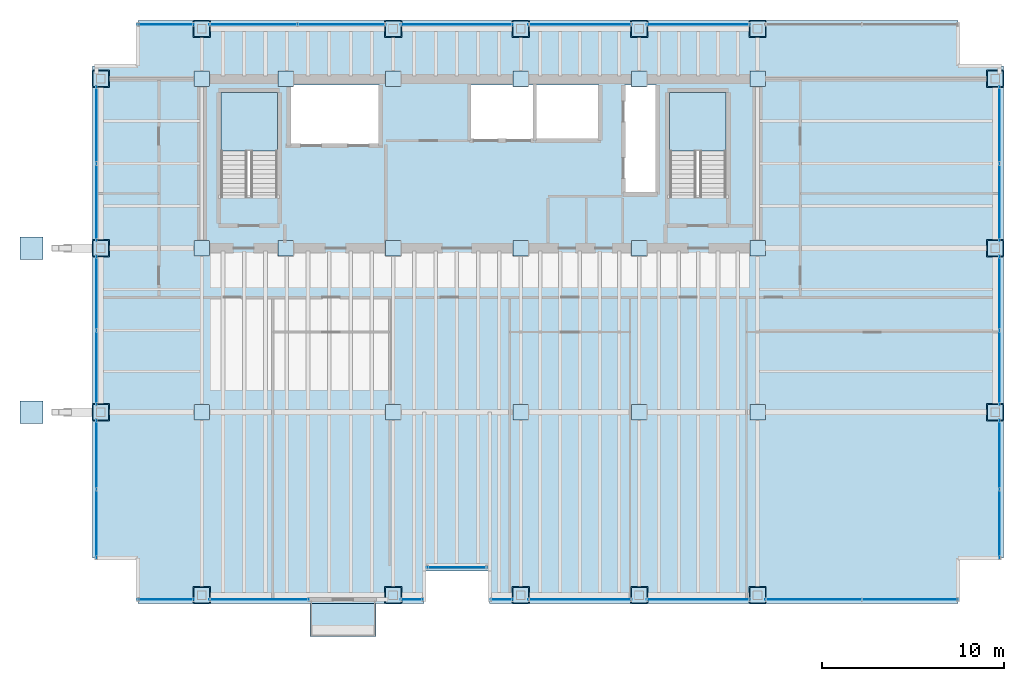
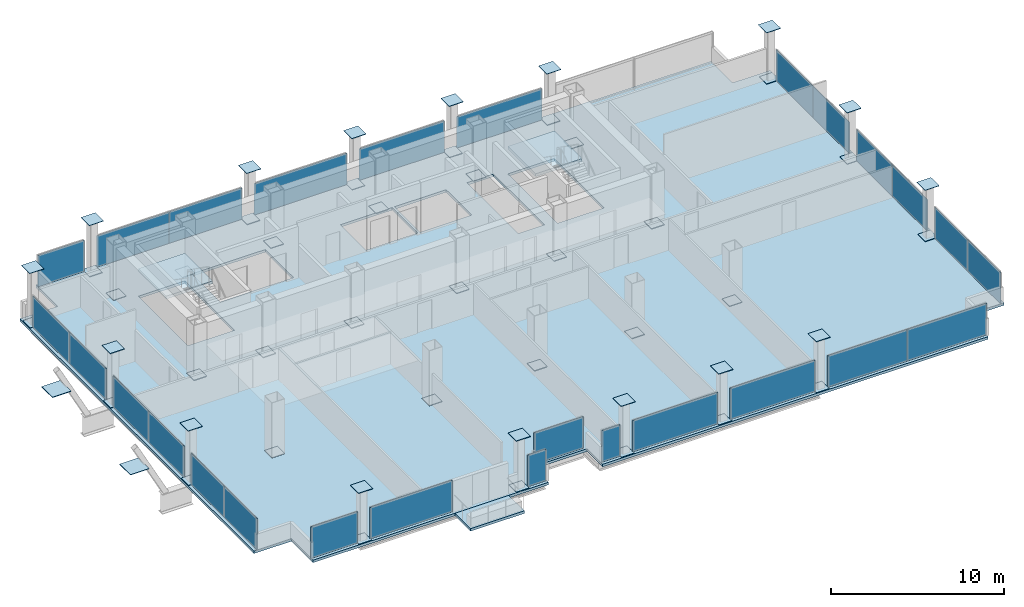
# One storey, part 17 of 21: 78 plates, 4 slabs, 6 openings, 21 elements without a shape of their own.
"""IFC4 building model written with IfcOpenShell, lengths in metres."""

from ifc_helpers import new_model, si_unit, direction, frame, origin, origin_2d, place, context, subcontext, project, spatial, polyline, rectangle, outline, extrude, material, layer, layer_set, type_object, element, aggregate, save


model = new_model("IFC4")

# Units and contexts
model_context = context("Model", 3, precision=1e-05, world=origin(), true_north=direction((0.0, 1.0)))
body_context = subcontext(model_context, "Body", "Model", "MODEL_VIEW")
ifc_project = project(units=[si_unit("LENGTHUNIT", "METRE"), si_unit("AREAUNIT", "SQUARE_METRE"), si_unit("VOLUMEUNIT", "CUBIC_METRE"), si_unit("PLANEANGLEUNIT", "RADIAN"), si_unit("MASSUNIT", "GRAM", prefix="KILO")], contexts=[model_context])

# Site, building, storey
site_placement = place(None, origin())
site = spatial("IfcSite", under=ifc_project, at=site_placement, CompositionType="ELEMENT")
building_placement = place(site_placement, origin())
building = spatial("IfcBuilding", under=site, at=building_placement, Name="Noeulbin Bourse Tower", CompositionType="ELEMENT")
storey_placement = place(building_placement, frame((0.0, 0.0, 111.0)))
storey = spatial("IfcBuildingStorey", under=building, at=storey_placement, Name="L27", CompositionType="ELEMENT", Elevation=111.0)

# Curtain wall, plate
ifc_material_1 = material(Name="Dark Tinted Triple Glazing", Category="glass")
curtain_wall_type = type_object("IfcCurtainWallType", Name="CW-SYS-3", PredefinedType="NOTDEFINED", material=ifc_material_1)
curtain_wall_1_placement = place(storey_placement, origin())
curtain_wall_1 = element("IfcCurtainWall", 1, at=curtain_wall_1_placement, inside=storey, type_object=curtain_wall_type, Name="Unitised Curtain Wall CW-L27-SREC", PredefinedType="NOTDEFINED")
ifc_layer_1 = layer(ifc_material_1, 0.035888671875)
ifc_layer_set_1 = layer_set([ifc_layer_1], Name="Dark Tinted Triple Glazing")
plate_type_1 = type_object("IfcPlateType", Name="CW-SYS-3-PNL", PredefinedType="CURTAIN_PANEL", material=ifc_layer_set_1)
plate_1_placement = place(storey_placement, frame((27.5, 11.47998046875, 0.0), z_axis=(0.0, 0.0, 1.0), x_axis=(1.0, 0.0, 0.0)))
plate_1 = element("IfcPlate", 2, at=plate_1_placement, type_object=plate_type_1, Name="Glazed Curtain Panel CW-L27-SREC-P00", PredefinedType="CURTAIN_PANEL", context=body_context, shape_type="SweptSolid", body=[
    extrude(rectangle(XDim=3.300048828125, YDim=0.035888671875, at=origin_2d()), origin(), (0.0, 0.0, 1.0), 2.219970703125),
])
aggregate(curtain_wall_1, [plate_1])

curtain_wall_2_placement = place(storey_placement, origin())
curtain_wall_2 = element("IfcCurtainWall", 3, at=curtain_wall_2_placement, inside=storey, type_object=curtain_wall_type, Name="Unitised Curtain Wall CW-L27-S1-S1", PredefinedType="NOTDEFINED")
plate_2_placement = place(storey_placement, frame((11.534912109375, 9.719970703125, 0.0), z_axis=(0.0, 0.0, 1.0), x_axis=(1.0, 0.0, 0.0)))
plate_2 = element("IfcPlate", 4, at=plate_2_placement, type_object=plate_type_1, Name="Glazed Curtain Panel CW-L27-S1-S1-P00", PredefinedType="CURTAIN_PANEL", context=body_context, shape_type="SweptSolid", body=[
    extrude(rectangle(XDim=3.110107421875, YDim=0.035888671875, at=origin_2d()), origin(), (0.0, 0.0, 1.0), 2.219970703125),
])
aggregate(curtain_wall_2, [plate_2])

curtain_wall_3_placement = place(storey_placement, origin())
curtain_wall_3 = element("IfcCurtainWall", 5, at=curtain_wall_3_placement, inside=storey, type_object=curtain_wall_type, Name="Unitised Curtain Wall CW-L27-S1-S2", PredefinedType="NOTDEFINED")
plate_3_placement = place(storey_placement, frame((16.655029296875, 9.719970703125, 0.0), z_axis=(0.0, 0.0, 1.0), x_axis=(1.0, 0.0, 0.0)))
plate_3 = element("IfcPlate", 6, at=plate_3_placement, type_object=plate_type_1, Name="Glazed Curtain Panel CW-L27-S1-S2-P00", PredefinedType="CURTAIN_PANEL", context=body_context, shape_type="SweptSolid", body=[
    extrude(rectangle(XDim=5.489990234375, YDim=0.035888671875, at=origin_2d()), origin(), (0.0, 0.0, 1.0), 2.219970703125),
])
aggregate(curtain_wall_3, [plate_3])

curtain_wall_4_placement = place(storey_placement, origin())
curtain_wall_4 = element("IfcCurtainWall", 7, at=curtain_wall_4_placement, inside=storey, type_object=curtain_wall_type, Name="Unitised Curtain Wall CW-L27-S2", PredefinedType="NOTDEFINED")
plate_4_placement = place(storey_placement, frame((25.030029296875, 9.719970703125, 0.0), z_axis=(0.0, 0.0, 1.0), x_axis=(1.0, 0.0, 0.0)))
plate_4 = element("IfcPlate", 8, at=plate_4_placement, type_object=plate_type_1, Name="Glazed Curtain Panel CW-L27-S2-P00", PredefinedType="CURTAIN_PANEL", context=body_context, shape_type="SweptSolid", body=[
    extrude(rectangle(XDim=1.239990234375, YDim=0.035888671875, at=origin_2d()), origin(), (0.0, 0.0, 1.0), 2.219970703125),
])
aggregate(curtain_wall_4, [plate_4])

curtain_wall_5_placement = place(storey_placement, origin())
curtain_wall_5 = element("IfcCurtainWall", 9, at=curtain_wall_5_placement, inside=storey, type_object=curtain_wall_type, Name="Unitised Curtain Wall CW-L27-S3-S1", PredefinedType="NOTDEFINED")
plate_5_placement = place(storey_placement, frame((29.969970703125, 9.719970703125, 0.0), z_axis=(0.0, 0.0, 1.0), x_axis=(1.0, 0.0, 0.0)))
plate_5 = element("IfcPlate", 10, at=plate_5_placement, type_object=plate_type_1, Name="Glazed Curtain Panel CW-L27-S3-S1-P00", PredefinedType="CURTAIN_PANEL", context=body_context, shape_type="SweptSolid", body=[
    extrude(rectangle(XDim=1.239990234375, YDim=0.035888671875, at=origin_2d()), origin(), (0.0, 0.0, 1.0), 2.219970703125),
])
aggregate(curtain_wall_5, [plate_5])

curtain_wall_6_placement = place(storey_placement, origin())
curtain_wall_6 = element("IfcCurtainWall", 11, at=curtain_wall_6_placement, inside=storey, type_object=curtain_wall_type, Name="Unitised Curtain Wall CW-L27-S3-S2", PredefinedType="NOTDEFINED")
plate_6_placement = place(storey_placement, frame((34.25, 9.719970703125, 0.0), z_axis=(0.0, 0.0, 1.0), x_axis=(1.0, 0.0, 0.0)))
plate_6 = element("IfcPlate", 12, at=plate_6_placement, type_object=plate_type_1, Name="Glazed Curtain Panel CW-L27-S3-S2-P00", PredefinedType="CURTAIN_PANEL", context=body_context, shape_type="SweptSolid", body=[
    extrude(rectangle(XDim=5.679931640625, YDim=0.035888671875, at=origin_2d()), origin(), (0.0, 0.0, 1.0), 2.219970703125),
])
aggregate(curtain_wall_6, [plate_6])

curtain_wall_7_placement = place(storey_placement, origin())
curtain_wall_7 = element("IfcCurtainWall", 13, at=curtain_wall_7_placement, inside=storey, type_object=curtain_wall_type, Name="Unitised Curtain Wall CW-L27-S3-S3", PredefinedType="NOTDEFINED")
plate_7_placement = place(storey_placement, frame((40.75, 9.719970703125, 0.0), z_axis=(0.0, 0.0, 1.0), x_axis=(1.0, 0.0, 0.0)))
plate_7 = element("IfcPlate", 14, at=plate_7_placement, type_object=plate_type_1, Name="Glazed Curtain Panel CW-L27-S3-S3-P00", PredefinedType="CURTAIN_PANEL", context=body_context, shape_type="SweptSolid", body=[
    extrude(rectangle(XDim=5.679931640625, YDim=0.035888671875, at=origin_2d()), origin(), (0.0, 0.0, 1.0), 2.219970703125),
])
aggregate(curtain_wall_7, [plate_7])

# Curtain wall, plates
curtain_wall_8_placement = place(storey_placement, origin())
curtain_wall_8 = element("IfcCurtainWall", 15, at=curtain_wall_8_placement, inside=storey, type_object=curtain_wall_type, Name="Unitised Curtain Wall CW-L27-S3-S4", PredefinedType="NOTDEFINED")
plate_8_placement = place(storey_placement, frame((47.0625, 9.719970703125, 0.0), z_axis=(0.0, 0.0, 1.0), x_axis=(1.0, 0.0, 0.0)))
plate_8 = element("IfcPlate", 16, at=plate_8_placement, type_object=plate_type_1, Name="Glazed Curtain Panel CW-L27-S3-S4-P00", PredefinedType="CURTAIN_PANEL", context=body_context, shape_type="SweptSolid", body=[
    extrude(rectangle(XDim=5.304931640625, YDim=0.035888671875, at=origin_2d()), origin(), (0.0, 0.0, 1.0), 2.219970703125),
])
plate_9_placement = place(storey_placement, frame((52.367431640625, 9.719970703125, 0.0), z_axis=(0.0, 0.0, 1.0), x_axis=(1.0, 0.0, 0.0)))
plate_9 = element("IfcPlate", 17, at=plate_9_placement, type_object=plate_type_1, Name="Glazed Curtain Panel CW-L27-S3-S4-P01", PredefinedType="CURTAIN_PANEL", context=body_context, shape_type="SweptSolid", body=[
    extrude(rectangle(XDim=5.304931640625, YDim=0.035888671875, at=origin_2d()), origin(), (0.0, 0.0, 1.0), 2.219970703125),
])
aggregate(curtain_wall_8, [plate_8, plate_9])

# Curtain wall, plate
curtain_wall_9_placement = place(storey_placement, origin())
curtain_wall_9 = element("IfcCurtainWall", 18, at=curtain_wall_9_placement, inside=storey, type_object=curtain_wall_type, Name="Unitised Curtain Wall CW-L27-N-S1", PredefinedType="NOTDEFINED")
plate_10_placement = place(storey_placement, frame((11.534912109375, 41.280029296875, 0.0), z_axis=(0.0, 0.0, 1.0), x_axis=(1.0, 0.0, 0.0)))
plate_10 = element("IfcPlate", 19, at=plate_10_placement, type_object=plate_type_1, Name="Glazed Curtain Panel CW-L27-N-S1-P00", PredefinedType="CURTAIN_PANEL", context=body_context, shape_type="SweptSolid", body=[
    extrude(rectangle(XDim=3.110107421875, YDim=0.035888671875, at=origin_2d()), origin(), (0.0, 0.0, 1.0), 2.219970703125),
])
aggregate(curtain_wall_9, [plate_10])

# Curtain wall, plates
curtain_wall_10_placement = place(storey_placement, origin())
curtain_wall_10 = element("IfcCurtainWall", 20, at=curtain_wall_10_placement, inside=storey, type_object=curtain_wall_type, Name="Unitised Curtain Wall CW-L27-N-S2", PredefinedType="NOTDEFINED")
plate_11_placement = place(storey_placement, frame((16.330078125, 41.280029296875, 0.0), z_axis=(0.0, 0.0, 1.0), x_axis=(1.0, 0.0, 0.0)))
plate_11 = element("IfcPlate", 21, at=plate_11_placement, type_object=plate_type_1, Name="Glazed Curtain Panel CW-L27-N-S2-P00", PredefinedType="CURTAIN_PANEL", context=body_context, shape_type="SweptSolid", body=[
    extrude(rectangle(XDim=4.840087890625, YDim=0.035888671875, at=origin_2d()), origin(), (0.0, 0.0, 1.0), 2.219970703125),
])
plate_12_placement = place(storey_placement, frame((21.169921875, 41.280029296875, 0.0), z_axis=(0.0, 0.0, 1.0), x_axis=(1.0, 0.0, 0.0)))
plate_12 = element("IfcPlate", 22, at=plate_12_placement, type_object=plate_type_1, Name="Glazed Curtain Panel CW-L27-N-S2-P01", PredefinedType="CURTAIN_PANEL", context=body_context, shape_type="SweptSolid", body=[
    extrude(rectangle(XDim=4.840087890625, YDim=0.035888671875, at=origin_2d()), origin(), (0.0, 0.0, 1.0), 2.219970703125),
])
aggregate(curtain_wall_10, [plate_11, plate_12])

# Curtain wall, plate
curtain_wall_11_placement = place(storey_placement, origin())
curtain_wall_11 = element("IfcCurtainWall", 23, at=curtain_wall_11_placement, inside=storey, type_object=curtain_wall_type, Name="Unitised Curtain Wall CW-L27-N-S3", PredefinedType="NOTDEFINED")
plate_13_placement = place(storey_placement, frame((27.5, 41.280029296875, 0.0), z_axis=(0.0, 0.0, 1.0), x_axis=(1.0, 0.0, 0.0)))
plate_13 = element("IfcPlate", 24, at=plate_13_placement, type_object=plate_type_1, Name="Glazed Curtain Panel CW-L27-N-S3-P00", PredefinedType="CURTAIN_PANEL", context=body_context, shape_type="SweptSolid", body=[
    extrude(rectangle(XDim=6.179931640625, YDim=0.035888671875, at=origin_2d()), origin(), (0.0, 0.0, 1.0), 2.219970703125),
])
aggregate(curtain_wall_11, [plate_13])

curtain_wall_12_placement = place(storey_placement, origin())
curtain_wall_12 = element("IfcCurtainWall", 25, at=curtain_wall_12_placement, inside=storey, type_object=curtain_wall_type, Name="Unitised Curtain Wall CW-L27-N-S4", PredefinedType="NOTDEFINED")
plate_14_placement = place(storey_placement, frame((34.25, 41.280029296875, 0.0), z_axis=(0.0, 0.0, 1.0), x_axis=(1.0, 0.0, 0.0)))
plate_14 = element("IfcPlate", 26, at=plate_14_placement, type_object=plate_type_1, Name="Glazed Curtain Panel CW-L27-N-S4-P00", PredefinedType="CURTAIN_PANEL", context=body_context, shape_type="SweptSolid", body=[
    extrude(rectangle(XDim=5.679931640625, YDim=0.035888671875, at=origin_2d()), origin(), (0.0, 0.0, 1.0), 2.219970703125),
])
aggregate(curtain_wall_12, [plate_14])

curtain_wall_13_placement = place(storey_placement, origin())
curtain_wall_13 = element("IfcCurtainWall", 27, at=curtain_wall_13_placement, inside=storey, type_object=curtain_wall_type, Name="Unitised Curtain Wall CW-L27-N-S5", PredefinedType="NOTDEFINED")
plate_15_placement = place(storey_placement, frame((40.75, 41.280029296875, 0.0), z_axis=(0.0, 0.0, 1.0), x_axis=(1.0, 0.0, 0.0)))
plate_15 = element("IfcPlate", 28, at=plate_15_placement, type_object=plate_type_1, Name="Glazed Curtain Panel CW-L27-N-S5-P00", PredefinedType="CURTAIN_PANEL", context=body_context, shape_type="SweptSolid", body=[
    extrude(rectangle(XDim=5.679931640625, YDim=0.035888671875, at=origin_2d()), origin(), (0.0, 0.0, 1.0), 2.219970703125),
])
aggregate(curtain_wall_13, [plate_15])

# Curtain wall, plates
curtain_wall_14_placement = place(storey_placement, origin())
curtain_wall_14 = element("IfcCurtainWall", 29, at=curtain_wall_14_placement, inside=storey, type_object=curtain_wall_type, Name="Unitised Curtain Wall CW-L27-W-S1", PredefinedType="NOTDEFINED")
plate_16_placement = place(storey_placement, frame((7.719970703125, 13.882568359375, 0.0), z_axis=(0.0, 0.0, 1.0), x_axis=(0.0, 1.0, 0.0)))
plate_16 = element("IfcPlate", 30, at=plate_16_placement, type_object=plate_type_1, Name="Glazed Curtain Panel CW-L27-W-S1-P00", PredefinedType="CURTAIN_PANEL", context=body_context, shape_type="SweptSolid", body=[
    extrude(rectangle(XDim=3.804931640625, YDim=0.035888671875, at=origin_2d()), origin(), (0.0, 0.0, 1.0), 2.219970703125),
])
plate_17_placement = place(storey_placement, frame((7.719970703125, 17.6875, 0.0), z_axis=(0.0, 0.0, 1.0), x_axis=(0.0, 1.0, 0.0)))
plate_17 = element("IfcPlate", 31, at=plate_17_placement, type_object=plate_type_1, Name="Glazed Curtain Panel CW-L27-W-S1-P01", PredefinedType="CURTAIN_PANEL", context=body_context, shape_type="SweptSolid", body=[
    extrude(rectangle(XDim=3.804931640625, YDim=0.035888671875, at=origin_2d()), origin(), (0.0, 0.0, 1.0), 2.219970703125),
])
aggregate(curtain_wall_14, [plate_16, plate_17])

curtain_wall_15_placement = place(storey_placement, origin())
curtain_wall_15 = element("IfcCurtainWall", 32, at=curtain_wall_15_placement, inside=storey, type_object=curtain_wall_type, Name="Unitised Curtain Wall CW-L27-W-S2", PredefinedType="NOTDEFINED")
plate_18_placement = place(storey_placement, frame((7.719970703125, 22.455078125, 0.0), z_axis=(0.0, 0.0, 1.0), x_axis=(0.0, 1.0, 0.0)))
plate_18 = element("IfcPlate", 33, at=plate_18_placement, type_object=plate_type_1, Name="Glazed Curtain Panel CW-L27-W-S2-P00", PredefinedType="CURTAIN_PANEL", context=body_context, shape_type="SweptSolid", body=[
    extrude(rectangle(XDim=4.090087890625, YDim=0.035888671875, at=origin_2d()), origin(), (0.0, 0.0, 1.0), 2.219970703125),
])
plate_19_placement = place(storey_placement, frame((7.719970703125, 26.544921875, 0.0), z_axis=(0.0, 0.0, 1.0), x_axis=(0.0, 1.0, 0.0)))
plate_19 = element("IfcPlate", 34, at=plate_19_placement, type_object=plate_type_1, Name="Glazed Curtain Panel CW-L27-W-S2-P01", PredefinedType="CURTAIN_PANEL", context=body_context, shape_type="SweptSolid", body=[
    extrude(rectangle(XDim=4.090087890625, YDim=0.035888671875, at=origin_2d()), origin(), (0.0, 0.0, 1.0), 2.219970703125),
])
aggregate(curtain_wall_15, [plate_18, plate_19])

curtain_wall_16_placement = place(storey_placement, origin())
curtain_wall_16 = element("IfcCurtainWall", 35, at=curtain_wall_16_placement, inside=storey, type_object=curtain_wall_type, Name="Unitised Curtain Wall CW-L27-W-S3", PredefinedType="NOTDEFINED")
plate_20_placement = place(storey_placement, frame((7.719970703125, 31.530029296875, 0.0), z_axis=(0.0, 0.0, 1.0), x_axis=(0.0, 1.0, 0.0)))
plate_20 = element("IfcPlate", 36, at=plate_20_placement, type_object=plate_type_1, Name="Glazed Curtain Panel CW-L27-W-S3-P00", PredefinedType="CURTAIN_PANEL", context=body_context, shape_type="SweptSolid", body=[
    extrude(rectangle(XDim=4.239990234375, YDim=0.035888671875, at=origin_2d()), origin(), (0.0, 0.0, 1.0), 2.219970703125),
])
plate_21_placement = place(storey_placement, frame((7.719970703125, 35.77001953125, 0.0), z_axis=(0.0, 0.0, 1.0), x_axis=(0.0, 1.0, 0.0)))
plate_21 = element("IfcPlate", 37, at=plate_21_placement, type_object=plate_type_1, Name="Glazed Curtain Panel CW-L27-W-S3-P01", PredefinedType="CURTAIN_PANEL", context=body_context, shape_type="SweptSolid", body=[
    extrude(rectangle(XDim=4.239990234375, YDim=0.035888671875, at=origin_2d()), origin(), (0.0, 0.0, 1.0), 2.219970703125),
])
aggregate(curtain_wall_16, [plate_20, plate_21])

curtain_wall_17_placement = place(storey_placement, origin())
curtain_wall_17 = element("IfcCurtainWall", 38, at=curtain_wall_17_placement, inside=storey, type_object=curtain_wall_type, Name="Unitised Curtain Wall CW-L27-E-S1", PredefinedType="NOTDEFINED")
plate_22_placement = place(storey_placement, frame((57.280029296875, 13.882568359375, 0.0), z_axis=(0.0, 0.0, 1.0), x_axis=(0.0, 1.0, 0.0)))
plate_22 = element("IfcPlate", 39, at=plate_22_placement, type_object=plate_type_1, Name="Glazed Curtain Panel CW-L27-E-S1-P00", PredefinedType="CURTAIN_PANEL", context=body_context, shape_type="SweptSolid", body=[
    extrude(rectangle(XDim=3.804931640625, YDim=0.035888671875, at=origin_2d()), origin(), (0.0, 0.0, 1.0), 2.219970703125),
])
plate_23_placement = place(storey_placement, frame((57.280029296875, 17.6875, 0.0), z_axis=(0.0, 0.0, 1.0), x_axis=(0.0, 1.0, 0.0)))
plate_23 = element("IfcPlate", 40, at=plate_23_placement, type_object=plate_type_1, Name="Glazed Curtain Panel CW-L27-E-S1-P01", PredefinedType="CURTAIN_PANEL", context=body_context, shape_type="SweptSolid", body=[
    extrude(rectangle(XDim=3.804931640625, YDim=0.035888671875, at=origin_2d()), origin(), (0.0, 0.0, 1.0), 2.219970703125),
])
aggregate(curtain_wall_17, [plate_22, plate_23])

curtain_wall_18_placement = place(storey_placement, origin())
curtain_wall_18 = element("IfcCurtainWall", 41, at=curtain_wall_18_placement, inside=storey, type_object=curtain_wall_type, Name="Unitised Curtain Wall CW-L27-E-S2", PredefinedType="NOTDEFINED")
plate_24_placement = place(storey_placement, frame((57.280029296875, 22.455078125, 0.0), z_axis=(0.0, 0.0, 1.0), x_axis=(0.0, 1.0, 0.0)))
plate_24 = element("IfcPlate", 42, at=plate_24_placement, type_object=plate_type_1, Name="Glazed Curtain Panel CW-L27-E-S2-P00", PredefinedType="CURTAIN_PANEL", context=body_context, shape_type="SweptSolid", body=[
    extrude(rectangle(XDim=4.090087890625, YDim=0.035888671875, at=origin_2d()), origin(), (0.0, 0.0, 1.0), 2.219970703125),
])
plate_25_placement = place(storey_placement, frame((57.280029296875, 26.544921875, 0.0), z_axis=(0.0, 0.0, 1.0), x_axis=(0.0, 1.0, 0.0)))
plate_25 = element("IfcPlate", 43, at=plate_25_placement, type_object=plate_type_1, Name="Glazed Curtain Panel CW-L27-E-S2-P01", PredefinedType="CURTAIN_PANEL", context=body_context, shape_type="SweptSolid", body=[
    extrude(rectangle(XDim=4.090087890625, YDim=0.035888671875, at=origin_2d()), origin(), (0.0, 0.0, 1.0), 2.219970703125),
])
aggregate(curtain_wall_18, [plate_24, plate_25])

curtain_wall_19_placement = place(storey_placement, origin())
curtain_wall_19 = element("IfcCurtainWall", 44, at=curtain_wall_19_placement, inside=storey, type_object=curtain_wall_type, Name="Unitised Curtain Wall CW-L27-E-S3", PredefinedType="NOTDEFINED")
plate_26_placement = place(storey_placement, frame((57.280029296875, 31.530029296875, 0.0), z_axis=(0.0, 0.0, 1.0), x_axis=(0.0, 1.0, 0.0)))
plate_26 = element("IfcPlate", 45, at=plate_26_placement, type_object=plate_type_1, Name="Glazed Curtain Panel CW-L27-E-S3-P00", PredefinedType="CURTAIN_PANEL", context=body_context, shape_type="SweptSolid", body=[
    extrude(rectangle(XDim=4.239990234375, YDim=0.035888671875, at=origin_2d()), origin(), (0.0, 0.0, 1.0), 2.219970703125),
])
plate_27_placement = place(storey_placement, frame((57.280029296875, 35.77001953125, 0.0), z_axis=(0.0, 0.0, 1.0), x_axis=(0.0, 1.0, 0.0)))
plate_27 = element("IfcPlate", 46, at=plate_27_placement, type_object=plate_type_1, Name="Glazed Curtain Panel CW-L27-E-S3-P01", PredefinedType="CURTAIN_PANEL", context=body_context, shape_type="SweptSolid", body=[
    extrude(rectangle(XDim=4.239990234375, YDim=0.035888671875, at=origin_2d()), origin(), (0.0, 0.0, 1.0), 2.219970703125),
])
aggregate(curtain_wall_19, [plate_26, plate_27])

# Plates
ifc_material_2 = material(Name="Steel S355", Category="steel")
ifc_layer_2 = layer(ifc_material_2, 0.030029296875)
ifc_layer_set_2 = layer_set([ifc_layer_2], Name="Steel S355")
plate_type_2 = type_object("IfcPlateType", Name="PLT-BN1", PredefinedType="USERDEFINED", material=ifc_layer_set_2)
for number, where, z_axis, x_axis, name in (
    (47, (13.5, 29.0, 0.0048828125), (0.0, 0.0, 1.0), (1.0, 0.0, 0.0), "Mega-Column Splice Plate BN1-L27-01"),
    (48, (13.5, 38.300048828125, 0.0048828125), (0.0, 0.0, 1.0), (1.0, 0.0, 0.0), "Mega-Column Splice Plate BN1-L27-02"),
    (49, (18.10009765625, 29.0, 0.0048828125), (0.0, 0.0, 1.0), (1.0, 0.0, 0.0), "Mega-Column Splice Plate BN1-L27-03"),
    (50, (18.10009765625, 38.300048828125, 0.0048828125), (0.0, 0.0, 1.0), (1.0, 0.0, 0.0), "Mega-Column Splice Plate BN1-L27-04"),
    (51, (24.0, 29.0, 0.0048828125), (0.0, 0.0, 1.0), (1.0, 0.0, 0.0), "Mega-Column Splice Plate BN1-L27-05"),
    (52, (24.0, 38.300048828125, 0.0048828125), (0.0, 0.0, 1.0), (1.0, 0.0, 0.0), "Mega-Column Splice Plate BN1-L27-06"),
    (53, (31.0, 29.0, 0.0048828125), (0.0, 0.0, 1.0), (1.0, 0.0, 0.0), "Mega-Column Splice Plate BN1-L27-07"),
    (54, (31.0, 38.300048828125, 0.0048828125), (0.0, 0.0, 1.0), (1.0, 0.0, 0.0), "Mega-Column Splice Plate BN1-L27-08"),
    (55, (37.5, 29.0, 0.0048828125), (0.0, 0.0, 1.0), (1.0, 0.0, 0.0), "Mega-Column Splice Plate BN1-L27-09"),
    (56, (37.5, 38.300048828125, 0.0048828125), (0.0, 0.0, 1.0), (1.0, 0.0, 0.0), "Mega-Column Splice Plate BN1-L27-10"),
    (57, (44.0, 29.0, 0.0048828125), (0.0, 0.0, 1.0), (1.0, 0.0, 0.0), "Mega-Column Splice Plate BN1-L27-11"),
    (58, (44.0, 38.300048828125, 0.0048828125), (0.0, 0.0, 1.0), (1.0, 0.0, 0.0), "Mega-Column Splice Plate BN1-L27-12"),
    (59, (13.5, 20.0, 0.0048828125), (0.0, 0.0, 1.0), (1.0, 0.0, 0.0), "Mega-Column Splice Plate BN1-L27-13"),
    (60, (24.0, 20.0, 0.0048828125), (0.0, 0.0, 1.0), (1.0, 0.0, 0.0), "Mega-Column Splice Plate BN1-L27-14"),
    (61, (31.0, 20.0, 0.0048828125), (0.0, 0.0, 1.0), (1.0, 0.0, 0.0), "Mega-Column Splice Plate BN1-L27-15"),
    (62, (37.5, 20.0, 0.0048828125), (0.0, 0.0, 1.0), (1.0, 0.0, 0.0), "Mega-Column Splice Plate BN1-L27-16"),
    (63, (44.0, 20.0, 0.0048828125), (0.0, 0.0, 1.0), (1.0, 0.0, 0.0), "Mega-Column Splice Plate BN1-L27-17"),
    (64, (7.949951171875, 20.0, 0.0048828125), (0.0, 0.0, 1.0), (1.0, 0.0, 0.0), "Perimeter Column Splice Plate BN1-L27-01"),
    (65, (7.949951171875, 29.0, 0.0048828125), (0.0, 0.0, 1.0), (1.0, 0.0, 0.0), "Perimeter Column Splice Plate BN1-L27-02"),
    (66, (7.949951171875, 38.300048828125, 0.0048828125), (0.0, 0.0, 1.0), (1.0, 0.0, 0.0), "Perimeter Column Splice Plate BN1-L27-03"),
    (67, (13.5, 9.949951171875, 0.0048828125), (0.0, 0.0, 1.0), (1.0, 0.0, 0.0), "Perimeter Column Splice Plate BN1-L27-04"),
    (68, (13.5, 41.050048828125, 0.0048828125), (0.0, 0.0, 1.0), (1.0, 0.0, 0.0), "Perimeter Column Splice Plate BN1-L27-05"),
    (69, (24.0, 9.949951171875, 0.0048828125), (0.0, 0.0, 1.0), (1.0, 0.0, 0.0), "Perimeter Column Splice Plate BN1-L27-06"),
    (70, (24.0, 41.050048828125, 0.0048828125), (0.0, 0.0, 1.0), (1.0, 0.0, 0.0), "Perimeter Column Splice Plate BN1-L27-07"),
    (71, (31.0, 9.949951171875, 0.0048828125), (0.0, 0.0, 1.0), (1.0, 0.0, 0.0), "Perimeter Column Splice Plate BN1-L27-08"),
    (72, (31.0, 41.050048828125, 0.0048828125), (0.0, 0.0, 1.0), (1.0, 0.0, 0.0), "Perimeter Column Splice Plate BN1-L27-09"),
    (73, (37.5, 9.949951171875, 0.0048828125), (0.0, 0.0, 1.0), (1.0, 0.0, 0.0), "Perimeter Column Splice Plate BN1-L27-10"),
    (74, (37.5, 41.050048828125, 0.0048828125), (0.0, 0.0, 1.0), (1.0, 0.0, 0.0), "Perimeter Column Splice Plate BN1-L27-11"),
    (75, (44.0, 9.949951171875, 0.0048828125), (0.0, 0.0, 1.0), (1.0, 0.0, 0.0), "Perimeter Column Splice Plate BN1-L27-12"),
    (76, (44.0, 41.050048828125, 0.0048828125), (0.0, 0.0, 1.0), (1.0, 0.0, 0.0), "Perimeter Column Splice Plate BN1-L27-13"),
    (77, (57.050048828125, 20.0, 0.0048828125), (0.0, 0.0, 1.0), (1.0, 0.0, 0.0), "Perimeter Column Splice Plate BN1-L27-14"),
    (78, (57.050048828125, 29.0, 0.0048828125), (0.0, 0.0, 1.0), (1.0, 0.0, 0.0), "Perimeter Column Splice Plate BN1-L27-15"),
    (79, (57.050048828125, 38.300048828125, 0.0048828125), (0.0, 0.0, 1.0), (1.0, 0.0, 0.0), "Perimeter Column Splice Plate BN1-L27-16"),
):
    element("IfcPlate", number, at=place(storey_placement, frame(where, z_axis=z_axis, x_axis=x_axis)), inside=storey, type_object=plate_type_2, Name=name, ObjectType="SPLICE PLATE", PredefinedType="USERDEFINED", context=body_context, shape_type="SweptSolid", body=[
        extrude(rectangle(XDim=0.85009765625, YDim=0.85009765625, at=origin_2d()), origin(), (0.0, 0.0, 1.0), 0.030029296875),
    ])
ifc_material_3 = material(Name="Steel S460", Category="steel")
ifc_layer_3 = layer(ifc_material_3, 0.0400390625)
ifc_layer_set_3 = layer_set([ifc_layer_3], Name="Steel S460")
plate_type_3 = type_object("IfcPlateType", Name="PLT-KN1", PredefinedType="USERDEFINED", material=ifc_layer_set_3)
for number, where, z_axis, x_axis, name in (
    (80, (4.14990234375, 20.0, 2.260009765625), (0.0, 0.0, 1.0), (1.0, 0.0, 0.0), "Exoskeleton Kink Gusset KN1-01"),
    (81, (4.14990234375, 29.0, 2.260009765625), (0.0, 0.0, 1.0), (1.0, 0.0, 0.0), "Exoskeleton Kink Gusset KN1-02"),
):
    element("IfcPlate", number, at=place(storey_placement, frame(where, z_axis=z_axis, x_axis=x_axis)), inside=storey, type_object=plate_type_3, Name=name, ObjectType="GUSSET PLATE", PredefinedType="USERDEFINED", context=body_context, shape_type="SweptSolid", body=[
        extrude(rectangle(XDim=1.25, YDim=1.25, at=origin_2d()), origin(), (0.0, 0.0, 1.0), 0.0400390625),
    ])
ifc_layer_4 = layer(ifc_material_2, 0.031982421875)
ifc_layer_set_4 = layer_set([ifc_layer_4], Name="Steel S355")
plate_type_4 = type_object("IfcPlateType", Name="PLT-KN3", PredefinedType="USERDEFINED", material=ifc_layer_set_4)
for number, where, z_axis, x_axis, name in (
    (82, (7.949951171875, 20.0, 3.8837890625), (0.0, 0.0, 1.0), (1.0, 0.0, 0.0), "Perimeter Column End Cap Plate KN3-01"),
    (83, (7.949951171875, 29.0, 3.8837890625), (0.0, 0.0, 1.0), (1.0, 0.0, 0.0), "Perimeter Column End Cap Plate KN3-02"),
    (84, (7.949951171875, 38.300048828125, 3.8837890625), (0.0, 0.0, 1.0), (1.0, 0.0, 0.0), "Perimeter Column End Cap Plate KN3-03"),
    (85, (13.5, 9.949951171875, 3.64404296875), (0.0, 0.0, 1.0), (1.0, 0.0, 0.0), "Perimeter Column End Cap Plate KN3-04"),
    (86, (13.5, 41.050048828125, 3.64404296875), (0.0, 0.0, 1.0), (1.0, 0.0, 0.0), "Perimeter Column End Cap Plate KN3-05"),
    (87, (24.0, 9.949951171875, 3.64404296875), (0.0, 0.0, 1.0), (1.0, 0.0, 0.0), "Perimeter Column End Cap Plate KN3-06"),
    (88, (24.0, 41.050048828125, 3.64404296875), (0.0, 0.0, 1.0), (1.0, 0.0, 0.0), "Perimeter Column End Cap Plate KN3-07"),
    (89, (31.0, 9.949951171875, 3.64404296875), (0.0, 0.0, 1.0), (1.0, 0.0, 0.0), "Perimeter Column End Cap Plate KN3-08"),
    (90, (31.0, 41.050048828125, 3.64404296875), (0.0, 0.0, 1.0), (1.0, 0.0, 0.0), "Perimeter Column End Cap Plate KN3-09"),
    (91, (37.5, 9.949951171875, 3.64404296875), (0.0, 0.0, 1.0), (1.0, 0.0, 0.0), "Perimeter Column End Cap Plate KN3-10"),
    (92, (37.5, 41.050048828125, 3.64404296875), (0.0, 0.0, 1.0), (1.0, 0.0, 0.0), "Perimeter Column End Cap Plate KN3-11"),
    (93, (44.0, 9.949951171875, 3.64404296875), (0.0, 0.0, 1.0), (1.0, 0.0, 0.0), "Perimeter Column End Cap Plate KN3-12"),
    (94, (44.0, 41.050048828125, 3.64404296875), (0.0, 0.0, 1.0), (1.0, 0.0, 0.0), "Perimeter Column End Cap Plate KN3-13"),
    (95, (57.050048828125, 20.0, 3.64404296875), (0.0, 0.0, 1.0), (1.0, 0.0, 0.0), "Perimeter Column End Cap Plate KN3-14"),
    (96, (57.050048828125, 29.0, 3.64404296875), (0.0, 0.0, 1.0), (1.0, 0.0, 0.0), "Perimeter Column End Cap Plate KN3-15"),
    (97, (57.050048828125, 38.300048828125, 3.64404296875), (0.0, 0.0, 1.0), (1.0, 0.0, 0.0), "Perimeter Column End Cap Plate KN3-16"),
):
    element("IfcPlate", number, at=place(storey_placement, frame(where, z_axis=z_axis, x_axis=x_axis)), inside=storey, type_object=plate_type_4, Name=name, ObjectType="END PLATE", PredefinedType="USERDEFINED", context=body_context, shape_type="SweptSolid", body=[
        extrude(rectangle(XDim=0.949951171875, YDim=0.949951171875, at=origin_2d()), origin(), (0.0, 0.0, 1.0), 0.031982421875),
    ])

# Stair, slab
ifc_material_4 = material(Name="Concrete C40/50", Category="concrete")
stair_type = type_object("IfcStairType", Name="STR-CORE-1560", PredefinedType="HALF_TURN_STAIR", material=ifc_material_4)
stair_1_placement = place(storey_placement, origin())
stair_1 = element("IfcStair", 98, at=stair_1_placement, inside=storey, type_object=stair_type, Name="L27 ST-1", PredefinedType="HALF_TURN_STAIR")
ifc_layer_5 = layer(ifc_material_4, 0.199951171875)
ifc_layer_set_5 = layer_set([ifc_layer_5], Name="Concrete C40/50")
slab_type_1 = type_object("IfcSlabType", Name="SLB-LND-200", PredefinedType="LANDING", material=ifc_layer_set_5)
slab_1_placement = place(storey_placement, frame((0.0, 0.0, 1.75)))
slab_1 = element("IfcSlab", 99, at=slab_1_placement, type_object=slab_type_1, Name="ST-1 landing 1", PredefinedType="LANDING", context=body_context, shape_type="SweptSolid", body=[
    extrude(outline(polyline([(17.64990234375, 34.330078125), (17.64990234375, 37.5439453125), (14.550048828125, 37.5439453125), (14.550048828125, 34.330078125), (17.64990234375, 34.330078125)])), origin(), (0.0, 0.0, 1.0), 0.199951171875),
])
aggregate(stair_1, [slab_1])

stair_2_placement = place(storey_placement, origin())
stair_2 = element("IfcStair", 100, at=stair_2_placement, inside=storey, type_object=stair_type, Name="L27 ST-2", PredefinedType="HALF_TURN_STAIR")
slab_2_placement = place(storey_placement, frame((0.0, 0.0, 1.75)))
slab_2 = element("IfcSlab", 101, at=slab_2_placement, type_object=slab_type_1, Name="ST-2 landing 1", PredefinedType="LANDING", context=body_context, shape_type="SweptSolid", body=[
    extrude(outline(polyline([(42.280029296875, 34.330078125), (42.280029296875, 37.5439453125), (39.179931640625, 37.5439453125), (39.179931640625, 34.330078125), (42.280029296875, 34.330078125)])), origin(), (0.0, 0.0, 1.0), 0.199951171875),
])
aggregate(stair_2, [slab_2])

# Slab, openings
ifc_layer_6 = layer(ifc_material_4, 0.179931640625)
ifc_layer_set_6 = layer_set([ifc_layer_6], Name="Concrete C40/50")
slab_type_2 = type_object("IfcSlabType", Name="SLB-TYP-180", PredefinedType="FLOOR", material=ifc_layer_set_6)
slab_3_placement = place(storey_placement, frame((0.0, 0.0, -0.179931640625)))
slab_3 = element("IfcSlab", 102, at=slab_3_placement, inside=storey, type_object=slab_type_2, Name="Tower Structural Floor Slab L27", PredefinedType="FLOOR", context=body_context, shape_type="SweptSolid", body=[
    extrude(outline(polyline([(10.0, 9.5), (25.699951171875, 9.5), (25.699951171875, 11.300048828125), (29.300048828125, 11.300048828125), (29.300048828125, 9.5), (55.0, 9.5), (55.0, 12.0), (57.5, 12.0), (57.5, 39.0), (55.0, 39.0), (55.0, 41.5), (10.0, 41.5), (10.0, 39.0), (7.5, 39.0), (7.5, 12.0), (10.0, 12.0), (10.0, 9.5)]), holes=[polyline([(17.64990234375, 31.81005859375), (17.64990234375, 37.5439453125), (14.550048828125, 37.5439453125), (14.550048828125, 31.81005859375), (17.64990234375, 31.81005859375)]), polyline([(42.280029296875, 31.81005859375), (42.280029296875, 37.5439453125), (39.179931640625, 37.5439453125), (39.179931640625, 31.81005859375), (42.280029296875, 31.81005859375)]), polyline([(18.35009765625, 34.699951171875), (23.25, 34.699951171875), (23.25, 37.949951171875), (18.35009765625, 37.949951171875), (18.35009765625, 34.699951171875)]), polyline([(36.699951171875, 32.050048828125), (38.449951171875, 32.050048828125), (38.449951171875, 37.949951171875), (36.699951171875, 37.949951171875), (36.699951171875, 32.050048828125)]), polyline([(28.25, 35.0), (31.699951171875, 35.0), (31.699951171875, 37.949951171875), (28.25, 37.949951171875), (28.25, 35.0)]), polyline([(31.85009765625, 35.0), (35.300048828125, 35.0), (35.300048828125, 37.949951171875), (31.85009765625, 37.949951171875), (31.85009765625, 35.0)])]), origin(), (0.0, 0.0, 1.0), 0.179931640625),
])
opening_1_placement = place(slab_3_placement, frame((0.0, 0.0, -0.010009765625)))
element("IfcOpeningElement", 103, at=opening_1_placement, cuts=slab_3, Name="Slab Shaft Opening SLB-L27-TWR-1", PredefinedType="OPENING", context=body_context, shape_type="SweptSolid", body=[
    extrude(outline(polyline([(17.64990234375, 31.81005859375), (17.64990234375, 37.5439453125), (14.550048828125, 37.5439453125), (14.550048828125, 31.81005859375), (17.64990234375, 31.81005859375)])), origin(), (0.0, 0.0, 1.0), 0.199951171875),
])
opening_2_placement = place(slab_3_placement, frame((0.0, 0.0, -0.010009765625)))
element("IfcOpeningElement", 104, at=opening_2_placement, cuts=slab_3, Name="Slab Shaft Opening SLB-L27-TWR-2", PredefinedType="OPENING", context=body_context, shape_type="SweptSolid", body=[
    extrude(outline(polyline([(42.280029296875, 31.81005859375), (42.280029296875, 37.5439453125), (39.179931640625, 37.5439453125), (39.179931640625, 31.81005859375), (42.280029296875, 31.81005859375)])), origin(), (0.0, 0.0, 1.0), 0.199951171875),
])
opening_3_placement = place(slab_3_placement, frame((0.0, 0.0, -0.010009765625)))
element("IfcOpeningElement", 105, at=opening_3_placement, cuts=slab_3, Name="Slab Shaft Opening SLB-L27-TWR-3", PredefinedType="OPENING", context=body_context, shape_type="SweptSolid", body=[
    extrude(outline(polyline([(18.35009765625, 34.699951171875), (23.25, 34.699951171875), (23.25, 37.949951171875), (18.35009765625, 37.949951171875), (18.35009765625, 34.699951171875)])), origin(), (0.0, 0.0, 1.0), 0.199951171875),
])
opening_4_placement = place(slab_3_placement, frame((0.0, 0.0, -0.010009765625)))
element("IfcOpeningElement", 106, at=opening_4_placement, cuts=slab_3, Name="Slab Shaft Opening SLB-L27-TWR-4", PredefinedType="OPENING", context=body_context, shape_type="SweptSolid", body=[
    extrude(outline(polyline([(36.699951171875, 32.050048828125), (38.449951171875, 32.050048828125), (38.449951171875, 37.949951171875), (36.699951171875, 37.949951171875), (36.699951171875, 32.050048828125)])), origin(), (0.0, 0.0, 1.0), 0.199951171875),
])
opening_5_placement = place(slab_3_placement, frame((0.0, 0.0, -0.010009765625)))
element("IfcOpeningElement", 107, at=opening_5_placement, cuts=slab_3, Name="Slab Shaft Opening SLB-L27-TWR-5", PredefinedType="OPENING", context=body_context, shape_type="SweptSolid", body=[
    extrude(outline(polyline([(28.25, 35.0), (31.699951171875, 35.0), (31.699951171875, 37.949951171875), (28.25, 37.949951171875), (28.25, 35.0)])), origin(), (0.0, 0.0, 1.0), 0.199951171875),
])
opening_6_placement = place(slab_3_placement, frame((0.0, 0.0, -0.010009765625)))
element("IfcOpeningElement", 108, at=opening_6_placement, cuts=slab_3, Name="Slab Shaft Opening SLB-L27-TWR-6", PredefinedType="OPENING", context=body_context, shape_type="SweptSolid", body=[
    extrude(outline(polyline([(31.85009765625, 35.0), (35.300048828125, 35.0), (35.300048828125, 37.949951171875), (31.85009765625, 37.949951171875), (31.85009765625, 35.0)])), origin(), (0.0, 0.0, 1.0), 0.199951171875),
])

# Slab
slab_4_placement = place(storey_placement, frame((0.0, 0.0, -0.179931640625)))
element("IfcSlab", 109, at=slab_4_placement, inside=storey, type_object=slab_type_2, Name="Cantilevered Tree-Balcony Slab L27", PredefinedType="FLOOR", context=body_context, shape_type="SweptSolid", body=[
    extrude(outline(polyline([(19.449951171875, 7.699951171875), (23.050048828125, 7.699951171875), (23.050048828125, 9.5), (19.449951171875, 9.5), (19.449951171875, 7.699951171875)])), origin(), (0.0, 0.0, 1.0), 0.179931640625),
])

save(model, "model.ifc")
